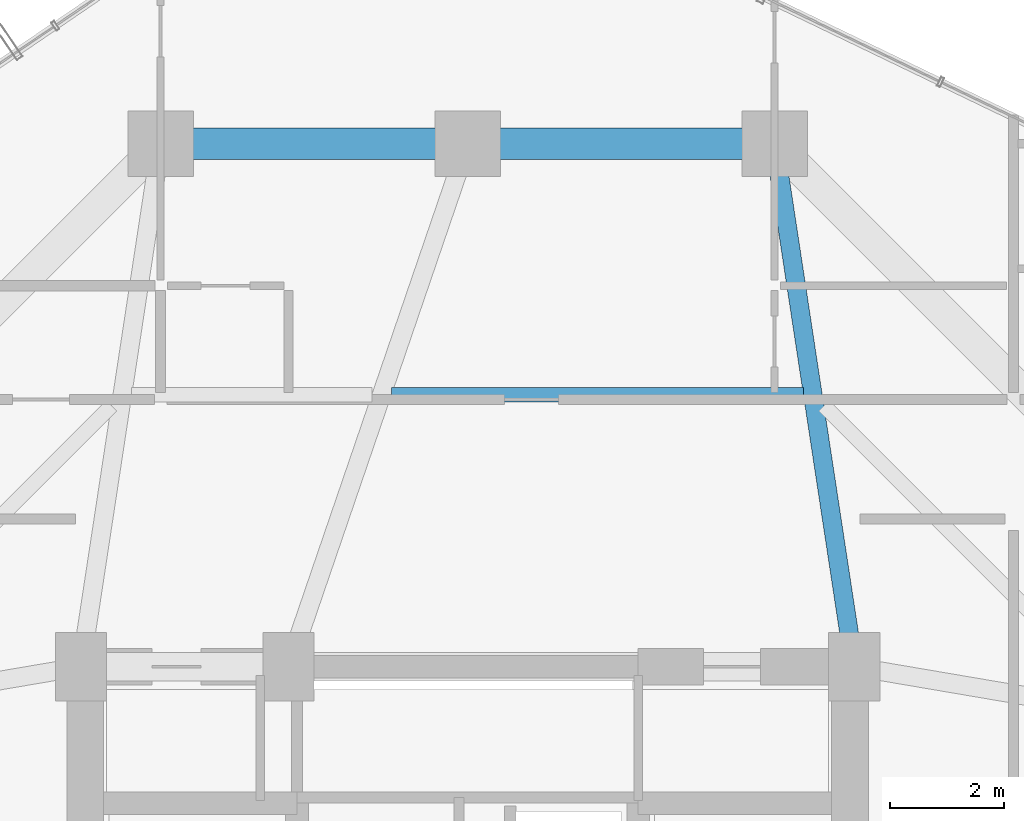
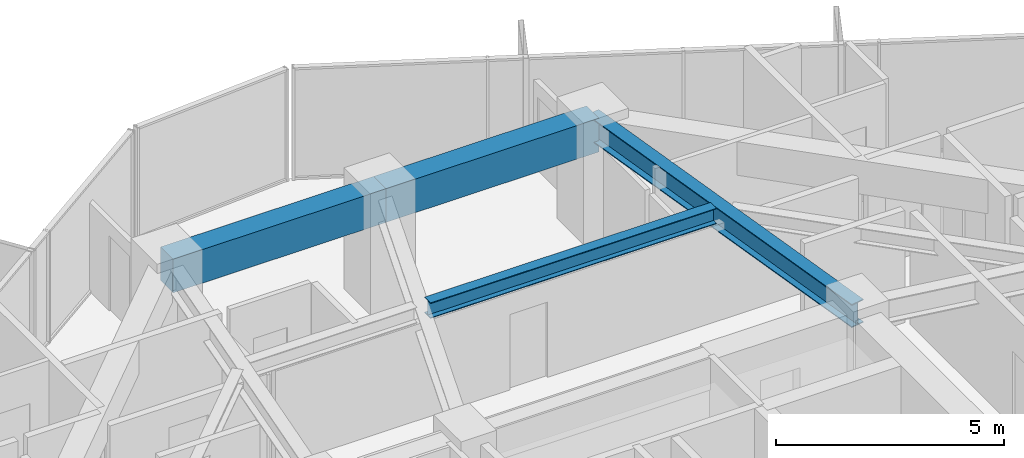
# One storey, part 24 of 35: 4 beams.
"""IFC4 building model written with IfcOpenShell, lengths in metres."""

import ifcopenshell
import ifcopenshell.guid

model = None  # the IFC model being written
_history = None  # IfcOwnerHistory: only IFC2X3 demands one
_inside = {}  # id of a spatial element -> (the spatial element, [elements in it])
_under = {}  # id of a project, library or spatial element -> (it, [spatial elements below it])
_declared = {}  # id of a project -> (the project, [libraries it declares])
_typed = {}  # id of a type object -> (the type object, [elements of that type])
_made_of = {}  # id of a material, layer set ... -> (it, [elements and type objects made of it])


def new_model(schema):
    """Start an empty IFC model of exactly this schema.

    Asked for "IFC4X3", IfcOpenShell would pick the latest addendum, in which some entities
    have other attributes; the version numbers below select the first issue.
    IFC2X3 requires an IfcOwnerHistory on every rooted entity: one is made here for all.
    """
    global model, _history
    if schema == "IFC4X3":
        model = ifcopenshell.file(schema_version=(4, 3, 0, 0))
    else:
        model = ifcopenshell.file(schema=schema)
    _inside.clear()
    _under.clear()
    _declared.clear()
    _typed.clear()
    _made_of.clear()
    _history = None
    if model.schema == "IFC2X3":
        org = make("IfcOrganization", Name="unknown")
        user = make(
            "IfcPersonAndOrganization",
            ThePerson=make("IfcPerson", FamilyName="unknown"),
            TheOrganization=org,
        )
        app = make(
            "IfcApplication",
            ApplicationDeveloper=org,
            Version="unknown",
            ApplicationFullName="unknown",
            ApplicationIdentifier="unknown",
        )
        _history = make(
            "IfcOwnerHistory",
            OwningUser=user,
            OwningApplication=app,
            ChangeAction="ADDED",
            CreationDate=0,
        )
    return model


def make(cls, **values):
    """One entity of the class cls with the attributes given. An attribute that is None is left unset."""
    return model.create_entity(
        cls, **{name: value for name, value in values.items() if value is not None}
    )


def rooted(cls, **values):
    """An entity with a GlobalId (a new one), such as an element, a storey or a relation."""
    return make(cls, GlobalId=ifcopenshell.guid.new(), OwnerHistory=_history, **values)


def si_unit(unit_type, name, prefix=None):
    """IfcSIUnit, for example si_unit("LENGTHUNIT", "METRE", prefix="MILLI")."""
    return make("IfcSIUnit", UnitType=unit_type, Prefix=prefix, Name=name)


def assignment(units):
    """IfcUnitAssignment: the units of a project."""
    return None if units is None else make("IfcUnitAssignment", Units=units)


def point(xyz):
    """IfcCartesianPoint."""
    return None if xyz is None else make("IfcCartesianPoint", Coordinates=xyz)


def direction(xyz):
    """IfcDirection."""
    return None if xyz is None else make("IfcDirection", DirectionRatios=xyz)


def frame(location, z_axis=None, x_axis=None):
    """IfcAxis2Placement3D, a coordinate frame: its origin and axes. An axis left out is left unset."""
    return make(
        "IfcAxis2Placement3D",
        Location=point(location),
        Axis=direction(z_axis),
        RefDirection=direction(x_axis),
    )


def frame_2d(location, x_axis=None):
    """IfcAxis2Placement2D, a coordinate frame in the plane: its origin and x axis."""
    return make(
        "IfcAxis2Placement2D", Location=point(location), RefDirection=direction(x_axis)
    )


def origin():
    """The frame at (0, 0, 0) with its axes left unset."""
    return frame((0.0, 0.0, 0.0))


def origin_2d():
    """The frame at (0, 0) in the plane with its x axis left unset."""
    return frame_2d((0.0, 0.0))


def place(relative_to, where):
    """IfcLocalPlacement: puts the frame where relative to a parent placement (None: the world)."""
    return make(
        "IfcLocalPlacement", PlacementRelTo=relative_to, RelativePlacement=where
    )


def context(
    kind, dimensions, precision=None, world=None, true_north=None, identifier=None
):
    """IfcGeometricRepresentationContext, for example the 3D "Model" context."""
    return make(
        "IfcGeometricRepresentationContext",
        ContextIdentifier=identifier,
        ContextType=kind,
        CoordinateSpaceDimension=dimensions,
        Precision=precision,
        WorldCoordinateSystem=world,
        TrueNorth=true_north,
    )


def subcontext(parent, identifier, kind, view, scale=None):
    """IfcGeometricRepresentationSubContext, for example "Body" below "Model"."""
    return make(
        "IfcGeometricRepresentationSubContext",
        ContextIdentifier=identifier,
        ContextType=kind,
        ParentContext=parent,
        TargetScale=scale,
        TargetView=view,
    )


def project(units=None, contexts=None):
    """IfcProject with its units and contexts."""
    return rooted(
        "IfcProject",
        Name="project",
        RepresentationContexts=contexts,
        UnitsInContext=assignment(units),
    )


def spatial(cls, under=None, at=None, **own):
    """A site, building, storey or space (cls), placed at a placement, below another one or the project."""
    s = rooted(cls, ObjectPlacement=at, **own)
    if under is not None:
        _under.setdefault(under.id(), (under, []))[1].append(s)
    return s


def profile(cls, at=None, kind="AREA", **sizes):
    """A parametric profile (cls). Its sizes go by their IFC names, for example OverallWidth=200.0."""
    return make(cls, ProfileType=kind, Position=at, **sizes)


def rectangle(**sizes):
    """IfcRectangleProfileDef."""
    return profile("IfcRectangleProfileDef", **sizes)


def i_section(**sizes):
    """IfcIShapeProfileDef."""
    return profile("IfcIShapeProfileDef", **sizes)


def extrude(swept, where, along, depth):
    """IfcExtrudedAreaSolid: the profile swept, set in the frame where, extruded along a direction by depth."""
    return make(
        "IfcExtrudedAreaSolid",
        SweptArea=swept,
        Position=where,
        ExtrudedDirection=direction(along),
        Depth=depth,
    )


def shape(context_of_items, identifier, shape_type, items):
    """IfcShapeRepresentation: the items that make up one representation, for example the "Body"."""
    return make(
        "IfcShapeRepresentation",
        ContextOfItems=context_of_items,
        RepresentationIdentifier=identifier,
        RepresentationType=shape_type,
        Items=items,
    )


def material(Name=None, Category=None):
    """IfcMaterial."""
    return make("IfcMaterial", Name=Name, Category=Category)


def material_profile(
    of_material, cross_section, Name=None, Category=None, Priority=None
):
    """IfcMaterialProfile: a cross section and its material."""
    return make(
        "IfcMaterialProfile",
        Name=Name,
        Material=of_material,
        Profile=cross_section,
        Priority=Priority,
        Category=Category,
    )


def profile_set(profiles, Name=None, composite=None):
    """IfcMaterialProfileSet."""
    return make(
        "IfcMaterialProfileSet",
        Name=Name,
        MaterialProfiles=profiles,
        CompositeProfile=composite,
    )


def made_of(thing, what):
    """Note that an element or type object is made of a material, layer set ...; save() writes the relation."""
    if what is not None:
        _made_of.setdefault(what.id(), (what, []))[1].append(thing)
    return thing


def type_object(cls, material=None, **own):
    """A type object (cls), such as IfcWallType, which elements share."""
    return made_of(rooted(cls, **own), material)


def element(
    cls,
    number,
    at=None,
    inside=None,
    cuts=None,
    type_object=None,
    material=None,
    context=None,
    identifier="Body",
    shape_type=None,
    held_by="IfcProductDefinitionShape",
    body=None,
    shapes=None,
    **own,
):
    """One element of the class cls, such as IfcWall. Its Tag is "e" and its number.

    at: its placement. inside: the storey or other place that contains it. cuts: it is an
    opening in that element (IfcRelVoidsElement). A single representation is given by context,
    identifier, shape_type and body (its items); several are given by shapes. held_by: the class
    of the entity that holds the representations. save() writes the other relations.
    """
    e = rooted(cls, Tag="e%d" % number, ObjectPlacement=at, **own)
    if body is not None:
        shapes = [shape(context, identifier, shape_type, body)]
    if shapes is not None:
        e.Representation = make(held_by, Representations=shapes)
    if inside is not None:
        _inside.setdefault(inside.id(), (inside, []))[1].append(e)
    if cuts is not None:
        rooted(
            "IfcRelVoidsElement", RelatingBuildingElement=cuts, RelatedOpeningElement=e
        )
    if type_object is not None:
        _typed.setdefault(type_object.id(), (type_object, []))[1].append(e)
    return made_of(e, material)


def aggregate(whole, parts):
    """IfcRelAggregates: a whole, such as a stair, and the parts it consists of."""
    return rooted("IfcRelAggregates", RelatingObject=whole, RelatedObjects=parts)


def save(model, path):
    """Write the relations noted so far, then the file.

    IfcRelAggregates (storeys below a building ...), IfcRelContainedInSpatialStructure (elements
    in a storey), IfcRelDefinesByType, IfcRelAssociatesMaterial and IfcRelDeclares: one each for
    every whole, place, type object, material and project.
    """
    for whole, parts in _under.values():
        aggregate(whole, parts)
    for where, things in _inside.values():
        rooted(
            "IfcRelContainedInSpatialStructure",
            RelatedElements=things,
            RelatingStructure=where,
        )
    for kind, things in _typed.values():
        rooted("IfcRelDefinesByType", RelatedObjects=things, RelatingType=kind)
    for what, things in _made_of.values():
        rooted("IfcRelAssociatesMaterial", RelatedObjects=things, RelatingMaterial=what)
    for by, libraries in _declared.values():
        rooted("IfcRelDeclares", RelatingContext=by, RelatedDefinitions=libraries)
    model.write(path)


model = new_model("IFC4")

# Units and contexts
model_context = context("Model", 3, precision=1e-05, world=origin(), true_north=direction((0.0, 1.0)))
body_context = subcontext(model_context, "Body", "Model", "MODEL_VIEW")
ifc_project = project(units=[si_unit("LENGTHUNIT", "METRE"), si_unit("AREAUNIT", "SQUARE_METRE"), si_unit("VOLUMEUNIT", "CUBIC_METRE"), si_unit("PLANEANGLEUNIT", "RADIAN"), si_unit("MASSUNIT", "GRAM", prefix="KILO")], contexts=[model_context])

# Site, building, storey
site_placement = place(None, origin())
site = spatial("IfcSite", under=ifc_project, at=site_placement, CompositionType="ELEMENT")
building_placement = place(site_placement, origin())
building = spatial("IfcBuilding", under=site, at=building_placement, Name="Veraguas Prism Commons", CompositionType="ELEMENT")
storey_placement = place(building_placement, frame((0.0, 0.0, 142.5)))
storey = spatial("IfcBuildingStorey", under=building, at=storey_placement, Name="L40", CompositionType="ELEMENT", Elevation=142.5)

# Beams
ifc_material_1 = material(Name="Steel ASTM A992 Grade 50", Category="steel")
ifc_material_profile_1 = material_profile(ifc_material_1, i_section(OverallWidth=0.260986328125, OverallDepth=0.419921875, WebThickness=0.01171875, FlangeThickness=0.019287109375, at=origin_2d()), Name="W410X114")
ifc_profile_set_1 = profile_set([ifc_material_profile_1], Name="Steel ASTM A992 Grade 50")
beam_type_1 = type_object("IfcBeamType", Name="Lower Floor Joist W410x114", PredefinedType="JOIST", material=ifc_profile_set_1)
beam_1_placement = place(storey_placement, frame((29.908203125, 35.783935546875, 2.7900390625), z_axis=(-1.0, 0.0, 0.0), x_axis=(0.0, -1.0, 0.0)))
element("IfcBeam", 1, at=beam_1_placement, inside=storey, type_object=beam_type_1, Name="Composite Floor Joist L40-JS04", PredefinedType="JOIST", context=body_context, shape_type="SweptSolid", body=[
    extrude(i_section(OverallWidth=0.260986328125, OverallDepth=0.419921875, WebThickness=0.01171875, FlangeThickness=0.019287109375, at=origin_2d()), origin(), (0.0, 0.0, 1.0), 7.2490234375),
])
ifc_material_2 = material(Name="Concrete C50/60", Category="concrete")
ifc_material_profile_2 = material_profile(ifc_material_2, rectangle(XDim=0.550048828125, YDim=0.89990234375, at=origin_2d()), Name="RC550X900")
ifc_profile_set_2 = profile_set([ifc_material_profile_2], Name="Concrete C50/60")
beam_type_2 = type_object("IfcBeamType", Name="Perimeter Spandrel Lower RC 550x900", PredefinedType="SPANDREL", material=ifc_profile_set_2)
for number, where, z_axis, x_axis, name in (
    (2, (29.39990234375, 40.199951171875, 2.550048828125), (-1.0, 0.0, 0.0), (0.0, -1.0, 0.0), "Perimeter Spandrel Beam L40-SP04"),
    (3, (24.0, 40.199951171875, 2.550048828125), (-1.0, 0.0, 0.0), (0.0, -1.0, 0.0), "Perimeter Spandrel Beam L40-SP05"),
):
    element("IfcBeam", number, at=place(storey_placement, frame(where, z_axis=z_axis, x_axis=x_axis)), inside=storey, type_object=beam_type_2, Name=name, PredefinedType="SPANDREL", context=body_context, shape_type="SweptSolid", body=[
        extrude(rectangle(XDim=0.550048828125, YDim=0.89990234375, at=origin_2d()), origin(), (0.0, 0.0, 1.0), 5.39990234375),
    ])
ifc_material_profile_3 = material_profile(ifc_material_1, i_section(OverallWidth=0.327880859375, OverallDepth=0.6220703125, WebThickness=0.015380859375, FlangeThickness=0.0244140625, at=origin_2d()), Name="W610X195")
ifc_profile_set_3 = profile_set([ifc_material_profile_3], Name="Steel ASTM A992 Grade 50")
beam_type_3 = type_object("IfcBeamType", Name="Zone 2 Radial Girder W610x195", PredefinedType="BEAM", material=ifc_profile_set_3)
beam_2_placement = place(storey_placement, frame((29.39990234375, 40.199951171875, 2.68896484375), z_axis=(0.150458162136, -0.98861637729, 0.0), x_axis=(0.98861637729, 0.150458162136, 0.0)))
element("IfcBeam", 4, at=beam_2_placement, inside=storey, type_object=beam_type_3, Name="Radial Floor Girder L40-RD04", PredefinedType="BEAM", context=body_context, shape_type="SweptSolid", body=[
    extrude(i_section(OverallWidth=0.327880859375, OverallDepth=0.6220703125, WebThickness=0.015380859375, FlangeThickness=0.0244140625, at=origin_2d()), origin(), (0.0, 0.0, 1.0), 9.305908203125),
])

save(model, "model.ifc")
